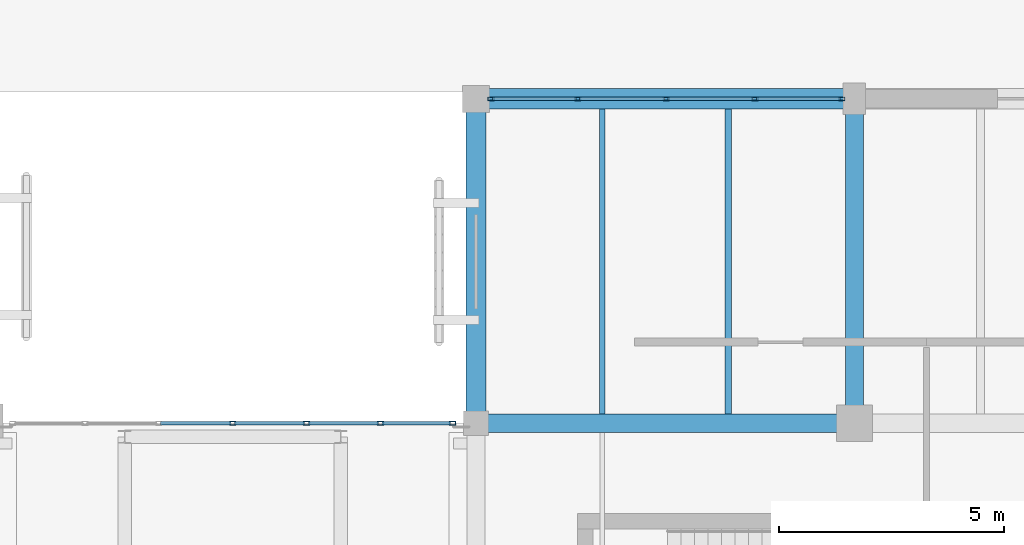
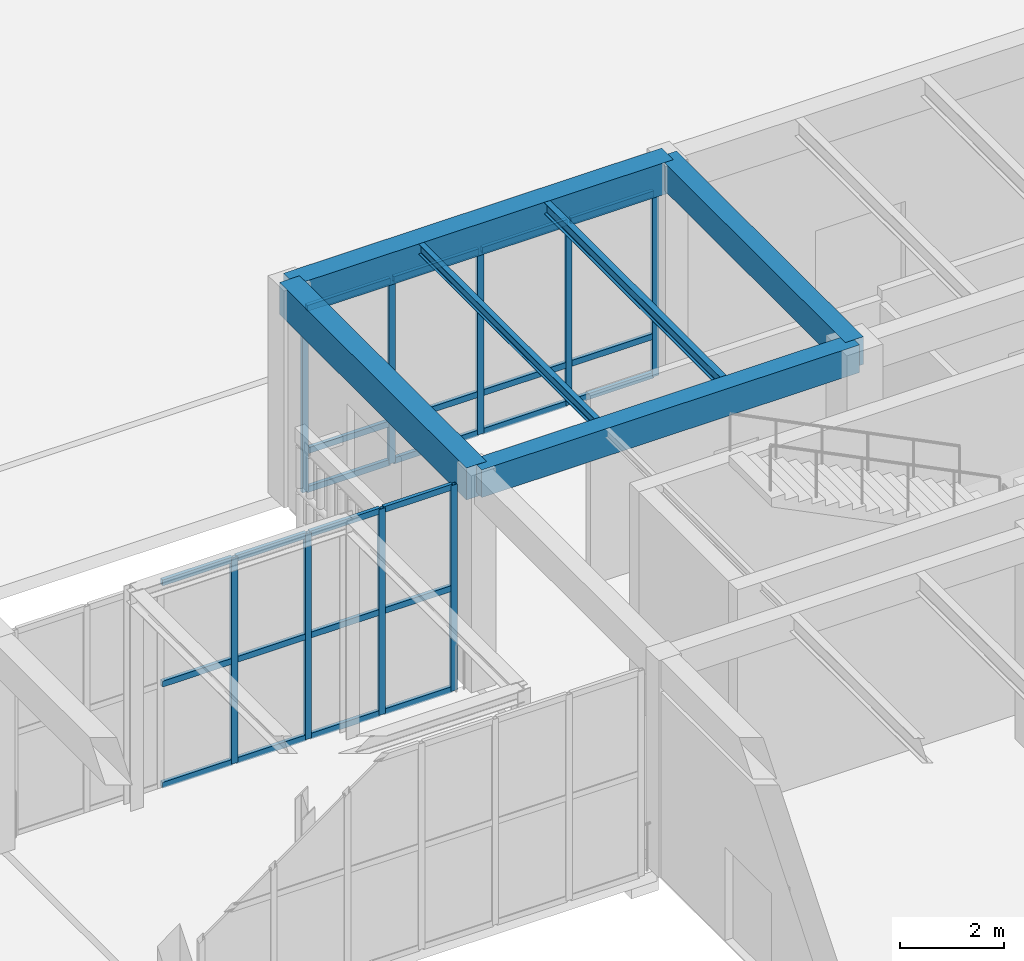
# One storey, part 37 of 169: 33 members, 6 beams, 2 elements without a shape of their own.
"""IFC4 building model written with IfcOpenShell, lengths in metres."""

from ifc_helpers import new_model, si_unit, direction, frame, origin, origin_2d, place, context, subcontext, project, spatial, rectangle, hollow_rectangle, i_section, extrude, material, layer, layer_set, material_profile, profile_set, type_object, element, aggregate, save


model = new_model("IFC4")

# Units and contexts
model_context = context("Model", 3, precision=1e-05, world=origin(), true_north=direction((0.0, 1.0)))
body_context = subcontext(model_context, "Body", "Model", "MODEL_VIEW")
ifc_project = project(units=[si_unit("LENGTHUNIT", "METRE"), si_unit("AREAUNIT", "SQUARE_METRE"), si_unit("VOLUMEUNIT", "CUBIC_METRE"), si_unit("PLANEANGLEUNIT", "RADIAN"), si_unit("MASSUNIT", "GRAM", prefix="KILO")], contexts=[model_context])

# Site, building, storey
site_placement = place(None, origin())
site = spatial("IfcSite", under=ifc_project, at=site_placement, CompositionType="ELEMENT")
building_placement = place(site_placement, origin())
building = spatial("IfcBuilding", under=site, at=building_placement, Name="Mazaris Harbour Polytechnic", CompositionType="ELEMENT")
storey_placement = place(building_placement, origin())
storey = spatial("IfcBuildingStorey", under=building, at=storey_placement, Name="L00", CompositionType="ELEMENT", Elevation=0.0)

# Curtain wall, members
ifc_material_1 = material(Name="Anodised Bronze Aluminium and Low-E Glass", Category="aluminium")
ifc_layer_1 = layer(ifc_material_1, 0.159912109375, Name="Anodised Bronze Aluminium and Low-E Glass")
ifc_layer_set_1 = layer_set([ifc_layer_1], Name="Anodised Bronze Aluminium and Low-E Glass")
curtain_wall_type_1 = type_object("IfcCurtainWallType", Name="Cloister Court Curtain Wall", PredefinedType="NOTDEFINED", material=ifc_layer_set_1)
curtain_wall_1_placement = place(storey_placement, origin())
curtain_wall_1 = element("IfcCurtainWall", 1, at=curtain_wall_1_placement, inside=storey, type_object=curtain_wall_type_1, Name="V3 L00 Curtain Wall 64", PredefinedType="NOTDEFINED")
ifc_material_2 = material(Name="Anodised Bronze Steel S355", Category="steel")
ifc_material_profile_1 = material_profile(ifc_material_2, hollow_rectangle(XDim=0.080078125, YDim=0.139892578125, WallThickness=0.00634765625, at=origin_2d()), Name="RHS 80x140x6.3")
ifc_profile_set_1 = profile_set([ifc_material_profile_1], Name="Anodised Bronze Steel S355")
member_type_1 = type_object("IfcMemberType", Name="Curtain Mullion RHS80x140", PredefinedType="MULLION", material=ifc_profile_set_1)
member_1_placement = place(storey_placement, frame((54.33203125, 36.0, 0.0), z_axis=(0.0, 0.0, 1.0), x_axis=(0.0, 1.0, 0.0)))
member_1 = element("IfcMember", 2, at=member_1_placement, type_object=member_type_1, Name="CW-02 mullion 1", PredefinedType="MULLION", context=body_context, shape_type="SweptSolid", body=[
    extrude(hollow_rectangle(XDim=0.080078125, YDim=0.139892578125, WallThickness=0.00634765625, at=origin_2d()), origin(), (0.0, 0.0, 1.0), 4.340087890625),
])
member_2_placement = place(storey_placement, frame((56.258544921875, 36.0, 0.0), z_axis=(0.0, 0.0, 1.0), x_axis=(0.0, 1.0, 0.0)))
member_2 = element("IfcMember", 3, at=member_2_placement, type_object=member_type_1, Name="CW-02 mullion 2", PredefinedType="MULLION", context=body_context, shape_type="SweptSolid", body=[
    extrude(hollow_rectangle(XDim=0.080078125, YDim=0.139892578125, WallThickness=0.00634765625, at=origin_2d()), origin(), (0.0, 0.0, 1.0), 4.340087890625),
])
member_3_placement = place(storey_placement, frame((58.22509765625, 36.0, 0.0), z_axis=(0.0, 0.0, 1.0), x_axis=(0.0, 1.0, 0.0)))
member_3 = element("IfcMember", 4, at=member_3_placement, type_object=member_type_1, Name="CW-02 mullion 3", PredefinedType="MULLION", context=body_context, shape_type="SweptSolid", body=[
    extrude(hollow_rectangle(XDim=0.080078125, YDim=0.139892578125, WallThickness=0.00634765625, at=origin_2d()), origin(), (0.0, 0.0, 1.0), 4.340087890625),
])
member_4_placement = place(storey_placement, frame((60.19140625, 36.0, 0.0), z_axis=(0.0, 0.0, 1.0), x_axis=(0.0, 1.0, 0.0)))
member_4 = element("IfcMember", 5, at=member_4_placement, type_object=member_type_1, Name="CW-02 mullion 4", PredefinedType="MULLION", context=body_context, shape_type="SweptSolid", body=[
    extrude(hollow_rectangle(XDim=0.080078125, YDim=0.139892578125, WallThickness=0.00634765625, at=origin_2d()), origin(), (0.0, 0.0, 1.0), 4.340087890625),
])
member_5_placement = place(storey_placement, frame((62.117919921875, 36.0, 0.0), z_axis=(0.0, 0.0, 1.0), x_axis=(0.0, 1.0, 0.0)))
member_5 = element("IfcMember", 6, at=member_5_placement, type_object=member_type_1, Name="CW-02 mullion 5", PredefinedType="MULLION", context=body_context, shape_type="SweptSolid", body=[
    extrude(hollow_rectangle(XDim=0.080078125, YDim=0.139892578125, WallThickness=0.00634765625, at=origin_2d()), origin(), (0.0, 0.0, 1.0), 4.340087890625),
])

ifc_material_3 = material(Name="Anodised Bronze Aluminium and Low-E Glass", Category="aluminium")
ifc_layer_2 = layer(ifc_material_3, 0.139892578125, Name="Anodised Bronze Aluminium and Low-E Glass")
ifc_layer_set_2 = layer_set([ifc_layer_2], Name="Anodised Bronze Aluminium and Low-E Glass")
curtain_wall_type_2 = type_object("IfcCurtainWallType", Name="Seismic Link Bridge Glazing", PredefinedType="NOTDEFINED", material=ifc_layer_set_2)
curtain_wall_2_placement = place(storey_placement, origin())
curtain_wall_2 = element("IfcCurtainWall", 7, at=curtain_wall_2_placement, inside=storey, type_object=curtain_wall_type_2, Name="PB-W1 L00 Bridge Glazing", PredefinedType="NOTDEFINED")
member_6_placement = place(storey_placement, frame((53.47998046875, 28.800048828125, 0.0), z_axis=(0.0, 0.0, 1.0), x_axis=(0.0, -1.0, 0.0)))
member_6 = element("IfcMember", 8, at=member_6_placement, type_object=member_type_1, Name="CW-05 mullion 1", PredefinedType="MULLION", context=body_context, shape_type="SweptSolid", body=[
    extrude(hollow_rectangle(XDim=0.080078125, YDim=0.139892578125, WallThickness=0.00634765625, at=origin_2d()), origin(), (0.0, 0.0, 1.0), 4.8349609375),
])
member_7_placement = place(storey_placement, frame((51.8798828125, 28.800048828125, 0.0), z_axis=(0.0, 0.0, 1.0), x_axis=(0.0, -1.0, 0.0)))
member_7 = element("IfcMember", 9, at=member_7_placement, type_object=member_type_1, Name="CW-05 mullion 2", PredefinedType="MULLION", context=body_context, shape_type="SweptSolid", body=[
    extrude(hollow_rectangle(XDim=0.080078125, YDim=0.139892578125, WallThickness=0.00634765625, at=origin_2d()), origin(), (0.0, 0.0, 1.0), 4.8349609375),
])
member_8_placement = place(storey_placement, frame((50.239990234375, 28.800048828125, 0.0), z_axis=(0.0, 0.0, 1.0), x_axis=(0.0, -1.0, 0.0)))
member_8 = element("IfcMember", 10, at=member_8_placement, type_object=member_type_1, Name="CW-05 mullion 3", PredefinedType="MULLION", context=body_context, shape_type="SweptSolid", body=[
    extrude(hollow_rectangle(XDim=0.080078125, YDim=0.139892578125, WallThickness=0.00634765625, at=origin_2d()), origin(), (0.0, 0.0, 1.0), 4.8349609375),
])
member_9_placement = place(storey_placement, frame((48.60009765625, 28.800048828125, 0.0), z_axis=(0.0, 0.0, 1.0), x_axis=(0.0, -1.0, 0.0)))
member_9 = element("IfcMember", 11, at=member_9_placement, type_object=member_type_1, Name="CW-05 mullion 4", PredefinedType="MULLION", context=body_context, shape_type="SweptSolid", body=[
    extrude(hollow_rectangle(XDim=0.080078125, YDim=0.139892578125, WallThickness=0.00634765625, at=origin_2d()), origin(), (0.0, 0.0, 1.0), 4.8349609375),
])

# Member
ifc_material_4 = material(Name="Anodised Bronze Steel S355", Category="steel")
ifc_material_profile_2 = material_profile(ifc_material_4, hollow_rectangle(XDim=0.080078125, YDim=0.139892578125, WallThickness=0.00634765625, at=origin_2d()), Name="RHS 80x140x6.3")
ifc_profile_set_2 = profile_set([ifc_material_profile_2], Name="Anodised Bronze Steel S355")
member_type_2 = type_object("IfcMemberType", Name="Curtain Transom RHS80x140", PredefinedType="USERDEFINED", material=ifc_profile_set_2)
member_10_placement = place(storey_placement, frame((54.3720703125, 36.0, 0.0400390625), z_axis=(1.0, 0.0, 0.0), x_axis=(0.0, 1.0, 0.0)))
member_10 = element("IfcMember", 12, at=member_10_placement, type_object=member_type_2, Name="CW-02 transom 1.1", ObjectType="TRANSOM", PredefinedType="USERDEFINED", context=body_context, shape_type="SweptSolid", body=[
    extrude(hollow_rectangle(XDim=0.080078125, YDim=0.139892578125, WallThickness=0.00634765625, at=origin_2d()), origin(), (0.0, 0.0, 1.0), 1.846435546875),
])

member_11_placement = place(storey_placement, frame((54.3720703125, 36.0, 0.949951171875), z_axis=(1.0, 0.0, 0.0), x_axis=(0.0, 1.0, 0.0)))
member_11 = element("IfcMember", 13, at=member_11_placement, type_object=member_type_2, Name="CW-02 transom 1.2", ObjectType="TRANSOM", PredefinedType="USERDEFINED", context=body_context, shape_type="SweptSolid", body=[
    extrude(hollow_rectangle(XDim=0.080078125, YDim=0.139892578125, WallThickness=0.00634765625, at=origin_2d()), origin(), (0.0, 0.0, 1.0), 1.846435546875),
])

member_12_placement = place(storey_placement, frame((54.3720703125, 36.0, 4.300048828125), z_axis=(1.0, 0.0, 0.0), x_axis=(0.0, 1.0, 0.0)))
member_12 = element("IfcMember", 14, at=member_12_placement, type_object=member_type_2, Name="CW-02 transom 1.3", ObjectType="TRANSOM", PredefinedType="USERDEFINED", context=body_context, shape_type="SweptSolid", body=[
    extrude(hollow_rectangle(XDim=0.080078125, YDim=0.139892578125, WallThickness=0.00634765625, at=origin_2d()), origin(), (0.0, 0.0, 1.0), 1.846435546875),
])

member_13_placement = place(storey_placement, frame((56.298583984375, 36.0, 0.0400390625), z_axis=(1.0, 0.0, 0.0), x_axis=(0.0, 1.0, 0.0)))
member_13 = element("IfcMember", 15, at=member_13_placement, type_object=member_type_2, Name="CW-02 transom 2.1", ObjectType="TRANSOM", PredefinedType="USERDEFINED", context=body_context, shape_type="SweptSolid", body=[
    extrude(hollow_rectangle(XDim=0.080078125, YDim=0.139892578125, WallThickness=0.00634765625, at=origin_2d()), origin(), (0.0, 0.0, 1.0), 1.886474609375),
])

member_14_placement = place(storey_placement, frame((56.298583984375, 36.0, 0.949951171875), z_axis=(1.0, 0.0, 0.0), x_axis=(0.0, 1.0, 0.0)))
member_14 = element("IfcMember", 16, at=member_14_placement, type_object=member_type_2, Name="CW-02 transom 2.2", ObjectType="TRANSOM", PredefinedType="USERDEFINED", context=body_context, shape_type="SweptSolid", body=[
    extrude(hollow_rectangle(XDim=0.080078125, YDim=0.139892578125, WallThickness=0.00634765625, at=origin_2d()), origin(), (0.0, 0.0, 1.0), 1.886474609375),
])

member_15_placement = place(storey_placement, frame((56.298583984375, 36.0, 4.300048828125), z_axis=(1.0, 0.0, 0.0), x_axis=(0.0, 1.0, 0.0)))
member_15 = element("IfcMember", 17, at=member_15_placement, type_object=member_type_2, Name="CW-02 transom 2.3", ObjectType="TRANSOM", PredefinedType="USERDEFINED", context=body_context, shape_type="SweptSolid", body=[
    extrude(hollow_rectangle(XDim=0.080078125, YDim=0.139892578125, WallThickness=0.00634765625, at=origin_2d()), origin(), (0.0, 0.0, 1.0), 1.886474609375),
])

member_16_placement = place(storey_placement, frame((58.264892578125, 36.0, 0.0400390625), z_axis=(1.0, 0.0, 0.0), x_axis=(0.0, 1.0, 0.0)))
member_16 = element("IfcMember", 18, at=member_16_placement, type_object=member_type_2, Name="CW-02 transom 3.1", ObjectType="TRANSOM", PredefinedType="USERDEFINED", context=body_context, shape_type="SweptSolid", body=[
    extrude(hollow_rectangle(XDim=0.080078125, YDim=0.139892578125, WallThickness=0.00634765625, at=origin_2d()), origin(), (0.0, 0.0, 1.0), 1.88671875),
])

member_17_placement = place(storey_placement, frame((58.264892578125, 36.0, 0.949951171875), z_axis=(1.0, 0.0, 0.0), x_axis=(0.0, 1.0, 0.0)))
member_17 = element("IfcMember", 19, at=member_17_placement, type_object=member_type_2, Name="CW-02 transom 3.2", ObjectType="TRANSOM", PredefinedType="USERDEFINED", context=body_context, shape_type="SweptSolid", body=[
    extrude(hollow_rectangle(XDim=0.080078125, YDim=0.139892578125, WallThickness=0.00634765625, at=origin_2d()), origin(), (0.0, 0.0, 1.0), 1.88671875),
])

member_18_placement = place(storey_placement, frame((58.264892578125, 36.0, 4.300048828125), z_axis=(1.0, 0.0, 0.0), x_axis=(0.0, 1.0, 0.0)))
member_18 = element("IfcMember", 20, at=member_18_placement, type_object=member_type_2, Name="CW-02 transom 3.3", ObjectType="TRANSOM", PredefinedType="USERDEFINED", context=body_context, shape_type="SweptSolid", body=[
    extrude(hollow_rectangle(XDim=0.080078125, YDim=0.139892578125, WallThickness=0.00634765625, at=origin_2d()), origin(), (0.0, 0.0, 1.0), 1.88671875),
])

member_19_placement = place(storey_placement, frame((60.2314453125, 36.0, 0.0400390625), z_axis=(1.0, 0.0, 0.0), x_axis=(0.0, 1.0, 0.0)))
member_19 = element("IfcMember", 21, at=member_19_placement, type_object=member_type_2, Name="CW-02 transom 4.1", ObjectType="TRANSOM", PredefinedType="USERDEFINED", context=body_context, shape_type="SweptSolid", body=[
    extrude(hollow_rectangle(XDim=0.080078125, YDim=0.139892578125, WallThickness=0.00634765625, at=origin_2d()), origin(), (0.0, 0.0, 1.0), 1.846435546875),
])

member_20_placement = place(storey_placement, frame((60.2314453125, 36.0, 0.949951171875), z_axis=(1.0, 0.0, 0.0), x_axis=(0.0, 1.0, 0.0)))
member_20 = element("IfcMember", 22, at=member_20_placement, type_object=member_type_2, Name="CW-02 transom 4.2", ObjectType="TRANSOM", PredefinedType="USERDEFINED", context=body_context, shape_type="SweptSolid", body=[
    extrude(hollow_rectangle(XDim=0.080078125, YDim=0.139892578125, WallThickness=0.00634765625, at=origin_2d()), origin(), (0.0, 0.0, 1.0), 1.846435546875),
])

member_21_placement = place(storey_placement, frame((60.2314453125, 36.0, 4.300048828125), z_axis=(1.0, 0.0, 0.0), x_axis=(0.0, 1.0, 0.0)))
member_21 = element("IfcMember", 23, at=member_21_placement, type_object=member_type_2, Name="CW-02 transom 4.3", ObjectType="TRANSOM", PredefinedType="USERDEFINED", context=body_context, shape_type="SweptSolid", body=[
    extrude(hollow_rectangle(XDim=0.080078125, YDim=0.139892578125, WallThickness=0.00634765625, at=origin_2d()), origin(), (0.0, 0.0, 1.0), 1.846435546875),
])

aggregate(curtain_wall_1, [member_1, member_2, member_3, member_4, member_5, member_10, member_11, member_12, member_13, member_14, member_15, member_16, member_17, member_18, member_19, member_20, member_21])

member_22_placement = place(storey_placement, frame((53.43994140625, 28.800048828125, 0.0400390625), z_axis=(-1.0, 0.0, 0.0), x_axis=(0.0, -1.0, 0.0)))
member_22 = element("IfcMember", 24, at=member_22_placement, type_object=member_type_2, Name="CW-05 transom 1.1", ObjectType="TRANSOM", PredefinedType="USERDEFINED", context=body_context, shape_type="SweptSolid", body=[
    extrude(hollow_rectangle(XDim=0.080078125, YDim=0.139892578125, WallThickness=0.00634765625, at=origin_2d()), origin(), (0.0, 0.0, 1.0), 1.52001953125),
])

member_23_placement = place(storey_placement, frame((53.43994140625, 28.800048828125, 2.41748046875), z_axis=(-1.0, 0.0, 0.0), x_axis=(0.0, -1.0, 0.0)))
member_23 = element("IfcMember", 25, at=member_23_placement, type_object=member_type_2, Name="CW-05 transom 1.2", ObjectType="TRANSOM", PredefinedType="USERDEFINED", context=body_context, shape_type="SweptSolid", body=[
    extrude(hollow_rectangle(XDim=0.080078125, YDim=0.139892578125, WallThickness=0.00634765625, at=origin_2d()), origin(), (0.0, 0.0, 1.0), 1.52001953125),
])

member_24_placement = place(storey_placement, frame((53.43994140625, 28.800048828125, 4.794921875), z_axis=(-1.0, 0.0, 0.0), x_axis=(0.0, -1.0, 0.0)))
member_24 = element("IfcMember", 26, at=member_24_placement, type_object=member_type_2, Name="CW-05 transom 1.3", ObjectType="TRANSOM", PredefinedType="USERDEFINED", context=body_context, shape_type="SweptSolid", body=[
    extrude(hollow_rectangle(XDim=0.080078125, YDim=0.139892578125, WallThickness=0.00634765625, at=origin_2d()), origin(), (0.0, 0.0, 1.0), 1.52001953125),
])

member_25_placement = place(storey_placement, frame((51.840087890625, 28.800048828125, 0.0400390625), z_axis=(-1.0, 0.0, 0.0), x_axis=(0.0, -1.0, 0.0)))
member_25 = element("IfcMember", 27, at=member_25_placement, type_object=member_type_2, Name="CW-05 transom 2.1", ObjectType="TRANSOM", PredefinedType="USERDEFINED", context=body_context, shape_type="SweptSolid", body=[
    extrude(hollow_rectangle(XDim=0.080078125, YDim=0.139892578125, WallThickness=0.00634765625, at=origin_2d()), origin(), (0.0, 0.0, 1.0), 1.56005859375),
])

member_26_placement = place(storey_placement, frame((51.840087890625, 28.800048828125, 2.41748046875), z_axis=(-1.0, 0.0, 0.0), x_axis=(0.0, -1.0, 0.0)))
member_26 = element("IfcMember", 28, at=member_26_placement, type_object=member_type_2, Name="CW-05 transom 2.2", ObjectType="TRANSOM", PredefinedType="USERDEFINED", context=body_context, shape_type="SweptSolid", body=[
    extrude(hollow_rectangle(XDim=0.080078125, YDim=0.139892578125, WallThickness=0.00634765625, at=origin_2d()), origin(), (0.0, 0.0, 1.0), 1.56005859375),
])

member_27_placement = place(storey_placement, frame((51.840087890625, 28.800048828125, 4.794921875), z_axis=(-1.0, 0.0, 0.0), x_axis=(0.0, -1.0, 0.0)))
member_27 = element("IfcMember", 29, at=member_27_placement, type_object=member_type_2, Name="CW-05 transom 2.3", ObjectType="TRANSOM", PredefinedType="USERDEFINED", context=body_context, shape_type="SweptSolid", body=[
    extrude(hollow_rectangle(XDim=0.080078125, YDim=0.139892578125, WallThickness=0.00634765625, at=origin_2d()), origin(), (0.0, 0.0, 1.0), 1.56005859375),
])

member_28_placement = place(storey_placement, frame((50.199951171875, 28.800048828125, 0.0400390625), z_axis=(-1.0, 0.0, 0.0), x_axis=(0.0, -1.0, 0.0)))
member_28 = element("IfcMember", 30, at=member_28_placement, type_object=member_type_2, Name="CW-05 transom 3.1", ObjectType="TRANSOM", PredefinedType="USERDEFINED", context=body_context, shape_type="SweptSolid", body=[
    extrude(hollow_rectangle(XDim=0.080078125, YDim=0.139892578125, WallThickness=0.00634765625, at=origin_2d()), origin(), (0.0, 0.0, 1.0), 1.56005859375),
])

member_29_placement = place(storey_placement, frame((50.199951171875, 28.800048828125, 2.41748046875), z_axis=(-1.0, 0.0, 0.0), x_axis=(0.0, -1.0, 0.0)))
member_29 = element("IfcMember", 31, at=member_29_placement, type_object=member_type_2, Name="CW-05 transom 3.2", ObjectType="TRANSOM", PredefinedType="USERDEFINED", context=body_context, shape_type="SweptSolid", body=[
    extrude(hollow_rectangle(XDim=0.080078125, YDim=0.139892578125, WallThickness=0.00634765625, at=origin_2d()), origin(), (0.0, 0.0, 1.0), 1.56005859375),
])

member_30_placement = place(storey_placement, frame((50.199951171875, 28.800048828125, 4.794921875), z_axis=(-1.0, 0.0, 0.0), x_axis=(0.0, -1.0, 0.0)))
member_30 = element("IfcMember", 32, at=member_30_placement, type_object=member_type_2, Name="CW-05 transom 3.3", ObjectType="TRANSOM", PredefinedType="USERDEFINED", context=body_context, shape_type="SweptSolid", body=[
    extrude(hollow_rectangle(XDim=0.080078125, YDim=0.139892578125, WallThickness=0.00634765625, at=origin_2d()), origin(), (0.0, 0.0, 1.0), 1.56005859375),
])

member_31_placement = place(storey_placement, frame((48.56005859375, 28.800048828125, 0.0400390625), z_axis=(-1.0, 0.0, 0.0), x_axis=(0.0, -1.0, 0.0)))
member_31 = element("IfcMember", 33, at=member_31_placement, type_object=member_type_2, Name="CW-05 transom 4.1", ObjectType="TRANSOM", PredefinedType="USERDEFINED", context=body_context, shape_type="SweptSolid", body=[
    extrude(hollow_rectangle(XDim=0.080078125, YDim=0.139892578125, WallThickness=0.00634765625, at=origin_2d()), origin(), (0.0, 0.0, 1.0), 1.56005859375),
])

member_32_placement = place(storey_placement, frame((48.56005859375, 28.800048828125, 2.41748046875), z_axis=(-1.0, 0.0, 0.0), x_axis=(0.0, -1.0, 0.0)))
member_32 = element("IfcMember", 34, at=member_32_placement, type_object=member_type_2, Name="CW-05 transom 4.2", ObjectType="TRANSOM", PredefinedType="USERDEFINED", context=body_context, shape_type="SweptSolid", body=[
    extrude(hollow_rectangle(XDim=0.080078125, YDim=0.139892578125, WallThickness=0.00634765625, at=origin_2d()), origin(), (0.0, 0.0, 1.0), 1.56005859375),
])

member_33_placement = place(storey_placement, frame((48.56005859375, 28.800048828125, 4.794921875), z_axis=(-1.0, 0.0, 0.0), x_axis=(0.0, -1.0, 0.0)))
member_33 = element("IfcMember", 35, at=member_33_placement, type_object=member_type_2, Name="CW-05 transom 4.3", ObjectType="TRANSOM", PredefinedType="USERDEFINED", context=body_context, shape_type="SweptSolid", body=[
    extrude(hollow_rectangle(XDim=0.080078125, YDim=0.139892578125, WallThickness=0.00634765625, at=origin_2d()), origin(), (0.0, 0.0, 1.0), 1.56005859375),
])

aggregate(curtain_wall_2, [member_6, member_7, member_8, member_9, member_22, member_23, member_24, member_25, member_26, member_27, member_28, member_29, member_30, member_31, member_32, member_33])

# Beams
ifc_material_5 = material(Name="Concrete C35/45", Category="concrete")
ifc_material_profile_3 = material_profile(ifc_material_5, rectangle(XDim=0.39990234375, YDim=0.64990234375, at=origin_2d()), Name="RECT400x650")
ifc_profile_set_3 = profile_set([ifc_material_profile_3], Name="Concrete C35/45")
beam_type_1 = type_object("IfcBeamType", Name="RC Girder 400x650", PredefinedType="BEAM", material=ifc_profile_set_3)
beam_1_placement = place(storey_placement, frame((54.0, 28.800048828125, 4.77490234375), z_axis=(1.0, 0.0, 0.0), x_axis=(0.0, 1.0, 0.0)))
element("IfcBeam", 36, at=beam_1_placement, inside=storey, type_object=beam_type_1, Name="V3 L00 Girder 876", PredefinedType="BEAM", context=body_context, shape_type="SweptSolid", body=[
    extrude(rectangle(XDim=0.39990234375, YDim=0.64990234375, at=origin_2d()), origin(), (0.0, 0.0, 1.0), 8.39990234375),
])
beam_2_placement = place(storey_placement, frame((62.39990234375, 28.800048828125, 4.77490234375), z_axis=(0.0, 1.0, 0.0), x_axis=(-1.0, 0.0, 0.0)))
element("IfcBeam", 37, at=beam_2_placement, inside=storey, type_object=beam_type_1, Name="V3 L00 Tie Girder 896", PredefinedType="BEAM", context=body_context, shape_type="SweptSolid", body=[
    extrude(rectangle(XDim=0.39990234375, YDim=0.64990234375, at=origin_2d()), origin(), (0.0, 0.0, 1.0), 7.199951171875),
])
ifc_material_6 = material(Name="Concrete C40/50", Category="concrete")
ifc_material_profile_4 = material_profile(ifc_material_6, rectangle(XDim=0.449951171875, YDim=0.75, at=origin_2d()), Name="RECT450x750")
ifc_profile_set_4 = profile_set([ifc_material_profile_4], Name="Concrete C40/50")
beam_type_2 = type_object("IfcBeamType", Name="RC Girder 450x750 Exterior", PredefinedType="BEAM", material=ifc_profile_set_4)
beam_3_placement = place(storey_placement, frame((54.0, 36.0, 4.72509765625), z_axis=(1.0, 0.0, 0.0), x_axis=(0.0, 1.0, 0.0)))
element("IfcBeam", 38, at=beam_3_placement, inside=storey, type_object=beam_type_2, Name="V3 L00 Girder 883", PredefinedType="BEAM", context=body_context, shape_type="SweptSolid", body=[
    extrude(rectangle(XDim=0.449951171875, YDim=0.75, at=origin_2d()), origin(), (0.0, 0.0, 1.0), 8.39990234375),
])
beam_4_placement = place(storey_placement, frame((54.0, 28.800048828125, 4.72509765625), z_axis=(0.0, 1.0, 0.0), x_axis=(-1.0, 0.0, 0.0)))
element("IfcBeam", 39, at=beam_4_placement, inside=storey, type_object=beam_type_2, Name="V3 L00 Tie Girder 893", PredefinedType="BEAM", context=body_context, shape_type="SweptSolid", body=[
    extrude(rectangle(XDim=0.449951171875, YDim=0.75, at=origin_2d()), origin(), (0.0, 0.0, 1.0), 7.199951171875),
])
ifc_material_7 = material(Name="Steel S355", Category="steel")
ifc_material_profile_5 = material_profile(ifc_material_7, i_section(OverallWidth=0.1201171875, OverallDepth=0.239990234375, WebThickness=0.006103515625, FlangeThickness=0.009765625, FilletRadius=0.014892578125, at=origin_2d()), Name="IPE 240")
ifc_profile_set_5 = profile_set([ifc_material_profile_5], Name="Steel S355")
beam_type_3 = type_object("IfcBeamType", Name="Steel Joist IPE240", PredefinedType="JOIST", material=ifc_profile_set_5)
beam_5_placement = place(storey_placement, frame((56.800048828125, 29.0, 4.97998046875), z_axis=(0.0, 1.0, 0.0), x_axis=(-1.0, 0.0, 0.0)))
element("IfcBeam", 40, at=beam_5_placement, inside=storey, type_object=beam_type_3, Name="V3 L00 Floor Joist 925", PredefinedType="JOIST", context=body_context, shape_type="SweptSolid", body=[
    extrude(i_section(OverallWidth=0.1201171875, OverallDepth=0.239990234375, WebThickness=0.006103515625, FlangeThickness=0.009765625, FilletRadius=0.014892578125, at=origin_2d()), origin(), (0.0, 0.0, 1.0), 6.77490234375),
])
ifc_material_8 = material(Name="Steel S355", Category="steel")
ifc_material_profile_6 = material_profile(ifc_material_8, i_section(OverallWidth=0.135009765625, OverallDepth=0.27001953125, WebThickness=0.006591796875, FlangeThickness=0.01025390625, FilletRadius=0.014892578125, at=origin_2d()), Name="IPE 270")
ifc_profile_set_6 = profile_set([ifc_material_profile_6], Name="Steel S355")
beam_type_4 = type_object("IfcBeamType", Name="Steel Joist IPE270", PredefinedType="JOIST", material=ifc_profile_set_6)
beam_6_placement = place(storey_placement, frame((59.60009765625, 29.0, 4.965087890625), z_axis=(0.0, 1.0, 0.0), x_axis=(-1.0, 0.0, 0.0)))
element("IfcBeam", 41, at=beam_6_placement, inside=storey, type_object=beam_type_4, Name="V3 L00 Floor Joist 926", PredefinedType="JOIST", context=body_context, shape_type="SweptSolid", body=[
    extrude(i_section(OverallWidth=0.135009765625, OverallDepth=0.27001953125, WebThickness=0.006591796875, FlangeThickness=0.01025390625, FilletRadius=0.014892578125, at=origin_2d()), origin(), (0.0, 0.0, 1.0), 6.77490234375),
])

save(model, "model.ifc")
